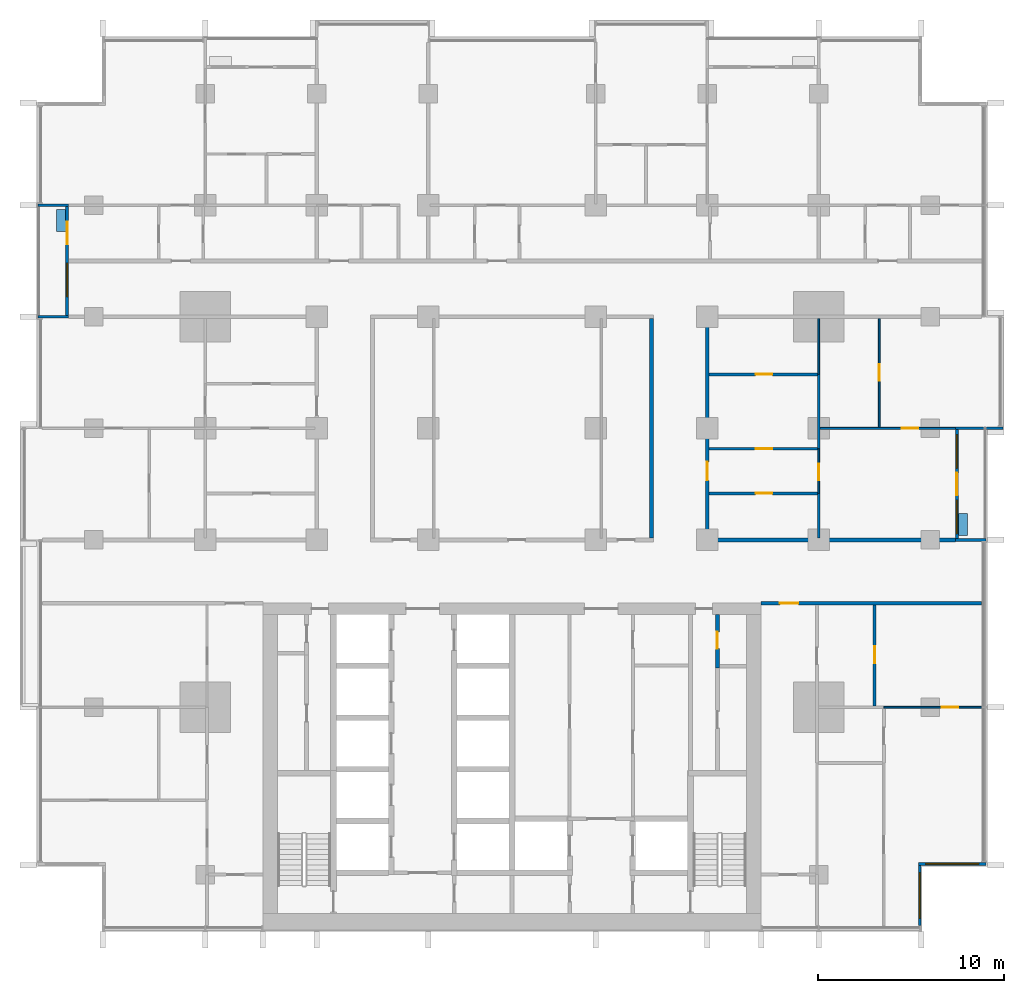
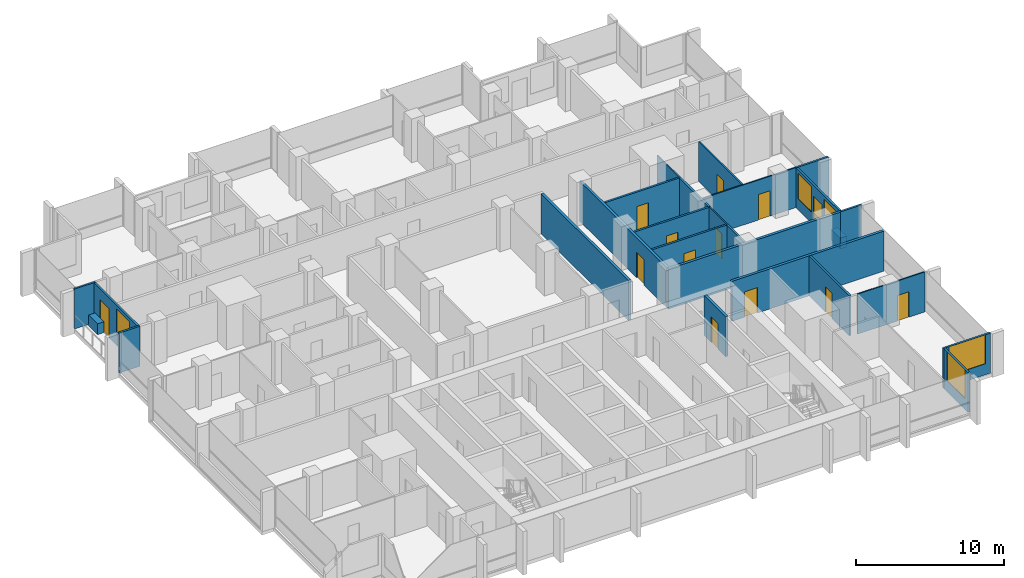
# One storey, part 10 of 18: 26 walls, 13 doors, 5 windows, 18 openings.
"""IFC4 building model written with IfcOpenShell, lengths in metres."""

from ifc_helpers import new_model, si_unit, direction, frame, frame_2d, origin, place, context, subcontext, project, spatial, rectangle, extrude, material, layer, layer_set, type_object, element, fill, save


model = new_model("IFC4")

# Units and contexts
model_context = context("Model", 3, precision=1e-05, world=origin(), true_north=direction((0.0, 1.0)))
body_context = subcontext(model_context, "Body", "Model", "MODEL_VIEW")
ifc_project = project(units=[si_unit("LENGTHUNIT", "METRE"), si_unit("AREAUNIT", "SQUARE_METRE"), si_unit("VOLUMEUNIT", "CUBIC_METRE"), si_unit("PLANEANGLEUNIT", "RADIAN"), si_unit("MASSUNIT", "GRAM", prefix="KILO")], contexts=[model_context])

# Site, building, storey
site_placement = place(None, origin())
site = spatial("IfcSite", under=ifc_project, at=site_placement, CompositionType="ELEMENT")
building_placement = place(site_placement, origin())
building = spatial("IfcBuilding", under=site, at=building_placement, Name="Finial Court Residences", CompositionType="ELEMENT")
storey_placement = place(building_placement, frame((0.0, 0.0, 84.699951171875)))
storey = spatial("IfcBuildingStorey", under=building, at=storey_placement, Name="L20", CompositionType="ELEMENT", Elevation=84.699951171875)

# Wall, opening, door
ifc_material_1 = material(Name="Gypsum board")
ifc_layer_1 = layer(ifc_material_1, 0.02490234375)
ifc_material_2 = material(Name="Acoustic mineral wool in double frame")
ifc_layer_2 = layer(ifc_material_2, 0.14990234375)
ifc_layer_3 = layer(ifc_material_1, 0.02490234375)
ifc_layer_set_1 = layer_set([ifc_layer_1, ifc_layer_2, ifc_layer_3], Name="Corridor wall 200, 1 hour")
wall_type_1 = type_object("IfcWallType", Name="Corridor wall 200, 1 hour", PredefinedType="PARTITIONING", material=ifc_layer_set_1)
wall_1_placement = place(storey_placement, frame((13.39990234375, -7.89990234375, 0.0), z_axis=(0.0, 0.0, 1.0), x_axis=(1.0, 0.0, 0.0)))
wall_1 = element("IfcWall", 1, at=wall_1_placement, inside=storey, type_object=wall_type_1, Name="Partition L20-010", PredefinedType="PARTITIONING", context=body_context, shape_type="SweptSolid", body=[
    extrude(rectangle(XDim=11.85009765625, YDim=0.199951171875, at=frame_2d((5.925048828125, 0.0))), origin(), (0.0, 0.0, 1.0), 3.300048828125),
])
opening_1_placement = place(wall_1_placement, frame((1.0, 0.0, 0.0)))
opening_1 = element("IfcOpeningElement", 2, at=opening_1_placement, cuts=wall_1, Name="Opening L20-D006", PredefinedType="OPENING", context=body_context, shape_type="SweptSolid", body=[
    extrude(rectangle(XDim=1.0, YDim=2.10009765625, at=frame_2d((0.5, 1.050048828125))), frame((0.0, 0.10986328125, 0.0), z_axis=(0.0, -1.0, 0.0), x_axis=(1.0, 0.0, 0.0)), (0.0, 0.0, 1.0), 0.219970703125),
])
ifc_material_3 = material(Name="Timber door leaf in hollow metal frame", Category="wood")
door_type_1 = type_object("IfcDoorType", Name="Fire door set 1000 x 2100, 30 minutes", OperationType="SINGLE_SWING_LEFT", PredefinedType="DOOR", material=ifc_material_3)
door_1_placement = place(opening_1_placement, origin())
door_1 = element("IfcDoor", 3, at=door_1_placement, inside=storey, type_object=door_type_1, Name="Door L20-D006", OperationType="SINGLE_SWING_LEFT", OverallHeight=2.10009765625, OverallWidth=1.0, PredefinedType="DOOR", context=body_context, shape_type="SweptSolid", body=[
    extrude(rectangle(XDim=1.0, YDim=2.10009765625, at=frame_2d((0.5, 1.050048828125))), frame((0.0, 0.02490234375, 0.0), z_axis=(0.0, -1.0, 0.0), x_axis=(1.0, 0.0, 0.0)), (0.0, 0.0, 1.0), 0.050048828125),
])
fill(opening_1, door_1)

# Walls
wall_2_placement = place(storey_placement, frame((10.39990234375, -4.5, 0.0), z_axis=(0.0, 0.0, 1.0), x_axis=(1.0, 0.0, 0.0)))
element("IfcWall", 4, at=wall_2_placement, inside=storey, type_object=wall_type_1, Name="Partition L20-013", PredefinedType="PARTITIONING", context=body_context, shape_type="SweptSolid", body=[
    extrude(rectangle(XDim=13.4501953125, YDim=0.199951171875, at=frame_2d((6.72509765625, 0.0))), origin(), (0.0, 0.0, 1.0), 3.300048828125),
])
wall_3_placement = place(storey_placement, frame((7.5, -4.39990234375, 0.0), z_axis=(0.0, 0.0, 1.0), x_axis=(0.0, 1.0, 0.0)))
element("IfcWall", 5, at=wall_3_placement, inside=storey, type_object=wall_type_1, Name="Partition L20-068", PredefinedType="PARTITIONING", context=body_context, shape_type="SweptSolid", body=[
    extrude(rectangle(XDim=11.7998046875, YDim=0.199951171875, at=frame_2d((5.89990234375, 0.0))), origin(), (0.0, 0.0, 1.0), 3.300048828125),
])

# Wall, opening, door
wall_4_placement = place(storey_placement, frame((10.5, -4.39990234375, 0.0), z_axis=(0.0, 0.0, 1.0), x_axis=(0.0, 1.0, 0.0)))
wall_4 = element("IfcWall", 6, at=wall_4_placement, inside=storey, type_object=wall_type_1, Name="Partition L20-069", PredefinedType="PARTITIONING", context=body_context, shape_type="SweptSolid", body=[
    extrude(rectangle(XDim=11.7998046875, YDim=0.199951171875, at=frame_2d((5.89990234375, 0.0))), origin(), (0.0, 0.0, 1.0), 3.300048828125),
])
opening_2_placement = place(wall_4_placement, frame((3.10009765625, 0.0, 0.0)))
opening_2 = element("IfcOpeningElement", 7, at=opening_2_placement, cuts=wall_4, Name="Opening L20-D044", PredefinedType="OPENING", context=body_context, shape_type="SweptSolid", body=[
    extrude(rectangle(XDim=1.0, YDim=2.10009765625, at=frame_2d((0.5, 1.050048828125))), frame((0.0, 0.10986328125, 0.0), z_axis=(0.0, -1.0, 0.0), x_axis=(1.0, 0.0, 0.0)), (0.0, 0.0, 1.0), 0.219970703125),
])
door_2_placement = place(opening_2_placement, origin())
door_2 = element("IfcDoor", 8, at=door_2_placement, inside=storey, type_object=door_type_1, Name="Door L20-D044", OperationType="SINGLE_SWING_LEFT", OverallHeight=2.10009765625, OverallWidth=1.0, PredefinedType="DOOR", context=body_context, shape_type="SweptSolid", body=[
    extrude(rectangle(XDim=1.0, YDim=2.10009765625, at=frame_2d((0.5, 1.050048828125))), frame((0.0, 0.02490234375, 0.0), z_axis=(0.0, -1.0, 0.0), x_axis=(1.0, 0.0, 0.0)), (0.0, 0.0, 1.0), 0.050048828125),
])
fill(opening_2, door_2)

ifc_layer_4 = layer(ifc_material_1, 0.012451171875)
ifc_material_4 = material(Name="Mineral wool in light-gauge frame")
ifc_layer_5 = layer(ifc_material_4, 0.074951171875)
ifc_layer_6 = layer(ifc_material_1, 0.012451171875)
ifc_layer_set_2 = layer_set([ifc_layer_4, ifc_layer_5, ifc_layer_6], Name="Gypsum board partition 100")
wall_type_2 = type_object("IfcWallType", Name="Gypsum board partition 100", PredefinedType="PARTITIONING", material=ifc_layer_set_2)
wall_5_placement = place(storey_placement, frame((20.0, -13.5, 0.0), z_axis=(0.0, 0.0, 1.0), x_axis=(1.0, 0.0, 0.0)))
wall_5 = element("IfcWall", 9, at=wall_5_placement, inside=storey, type_object=wall_type_2, Name="Partition L20-006", PredefinedType="PARTITIONING", context=body_context, shape_type="SweptSolid", body=[
    extrude(rectangle(XDim=5.25, YDim=0.10009765625, at=frame_2d((2.625, 0.0))), origin(), (0.0, 0.0, 1.0), 3.300048828125),
])
opening_3_placement = place(wall_5_placement, frame((3.10009765625, 0.0, 0.0)))
opening_3 = element("IfcOpeningElement", 10, at=opening_3_placement, cuts=wall_5, Name="Opening L20-D004", PredefinedType="OPENING", context=body_context, shape_type="SweptSolid", body=[
    extrude(rectangle(XDim=0.89990234375, YDim=2.10009765625, at=frame_2d((0.449951171875, 1.050048828125))), frame((0.0, 0.06005859375, 0.0), z_axis=(0.0, -1.0, 0.0), x_axis=(1.0, 0.0, 0.0)), (0.0, 0.0, 1.0), 0.1201171875),
])
ifc_material_5 = material(Name="Timber door leaf in timber frame", Category="wood")
door_type_2 = type_object("IfcDoorType", Name="Door set 900 x 2100", OperationType="SINGLE_SWING_LEFT", PredefinedType="DOOR", material=ifc_material_5)
door_3_placement = place(opening_3_placement, origin())
door_3 = element("IfcDoor", 11, at=door_3_placement, inside=storey, type_object=door_type_2, Name="Door L20-D004", OperationType="SINGLE_SWING_RIGHT", OverallHeight=2.10009765625, OverallWidth=0.89990234375, PredefinedType="DOOR", context=body_context, shape_type="SweptSolid", body=[
    extrude(rectangle(XDim=0.89990234375, YDim=2.10009765625, at=frame_2d((0.449951171875, 1.050048828125))), frame((0.0, 0.02490234375, 0.0), z_axis=(0.0, -1.0, 0.0), x_axis=(1.0, 0.0, 0.0)), (0.0, 0.0, 1.0), 0.050048828125),
])
fill(opening_3, door_3)

wall_6_placement = place(storey_placement, frame((16.574951171875, 1.5, 0.0), z_axis=(0.0, 0.0, 1.0), x_axis=(1.0, 0.0, 0.0)))
wall_6 = element("IfcWall", 12, at=wall_6_placement, inside=storey, type_object=wall_type_2, Name="Partition L20-018", PredefinedType="PARTITIONING", context=body_context, shape_type="SweptSolid", body=[
    extrude(rectangle(XDim=7.275146484375, YDim=0.10009765625, at=frame_2d((3.6376953125, 0.0))), origin(), (0.0, 0.0, 1.0), 3.300048828125),
])
opening_4_placement = place(wall_6_placement, frame((4.375, 0.0, 0.0)))
opening_4 = element("IfcOpeningElement", 13, at=opening_4_placement, cuts=wall_6, Name="Opening L20-D014", PredefinedType="OPENING", context=body_context, shape_type="SweptSolid", body=[
    extrude(rectangle(XDim=0.89990234375, YDim=2.10009765625, at=frame_2d((0.449951171875, 1.050048828125))), frame((0.0, 0.06005859375, 0.0), z_axis=(0.0, -1.0, 0.0), x_axis=(1.0, 0.0, 0.0)), (0.0, 0.0, 1.0), 0.1201171875),
])
door_4_placement = place(opening_4_placement, origin())
door_4 = element("IfcDoor", 14, at=door_4_placement, inside=storey, type_object=door_type_2, Name="Door L20-D014", OperationType="SINGLE_SWING_LEFT", OverallHeight=2.10009765625, OverallWidth=0.89990234375, PredefinedType="DOOR", context=body_context, shape_type="SweptSolid", body=[
    extrude(rectangle(XDim=0.89990234375, YDim=2.10009765625, at=frame_2d((0.449951171875, 1.050048828125))), frame((0.0, 0.02490234375, 0.0), z_axis=(0.0, -1.0, 0.0), x_axis=(1.0, 0.0, 0.0)), (0.0, 0.0, 1.0), 0.050048828125),
])
fill(opening_4, door_4)

wall_7_placement = place(storey_placement, frame((16.5, -2.0, 0.0), z_axis=(0.0, 0.0, 1.0), x_axis=(0.0, 1.0, 0.0)))
wall_7 = element("IfcWall", 15, at=wall_7_placement, inside=storey, type_object=wall_type_2, Name="Partition L20-075", PredefinedType="PARTITIONING", context=body_context, shape_type="SweptSolid", body=[
    extrude(rectangle(XDim=2.39990234375, YDim=0.10009765625, at=frame_2d((1.199951171875, 0.0))), origin(), (0.0, 0.0, 1.0), 3.300048828125),
])
opening_5_placement = place(wall_7_placement, frame((0.699951171875, 0.0, 0.0)))
opening_5 = element("IfcOpeningElement", 16, at=opening_5_placement, cuts=wall_7, Name="Opening L20-D048", PredefinedType="OPENING", context=body_context, shape_type="SweptSolid", body=[
    extrude(rectangle(XDim=0.89990234375, YDim=2.10009765625, at=frame_2d((0.449951171875, 1.050048828125))), frame((0.0, 0.06005859375, 0.0), z_axis=(0.0, -1.0, 0.0), x_axis=(1.0, 0.0, 0.0)), (0.0, 0.0, 1.0), 0.1201171875),
])
door_5_placement = place(opening_5_placement, origin())
door_5 = element("IfcDoor", 17, at=door_5_placement, inside=storey, type_object=door_type_2, Name="Door L20-D048", OperationType="SINGLE_SWING_LEFT", OverallHeight=2.10009765625, OverallWidth=0.89990234375, PredefinedType="DOOR", context=body_context, shape_type="SweptSolid", body=[
    extrude(rectangle(XDim=0.89990234375, YDim=2.10009765625, at=frame_2d((0.449951171875, 1.050048828125))), frame((0.0, 0.02490234375, 0.0), z_axis=(0.0, -1.0, 0.0), x_axis=(1.0, 0.0, 0.0)), (0.0, 0.0, 1.0), 0.050048828125),
])
fill(opening_5, door_5)

# Wall
wall_8_placement = place(storey_placement, frame((16.5, 4.39990234375, 0.0), z_axis=(0.0, 0.0, 1.0), x_axis=(0.0, 1.0, 0.0)))
element("IfcWall", 18, at=wall_8_placement, inside=storey, type_object=wall_type_2, Name="Partition L20-076", PredefinedType="PARTITIONING", context=body_context, shape_type="SweptSolid", body=[
    extrude(rectangle(XDim=3.0, YDim=0.10009765625, at=frame_2d((1.5, 0.0))), origin(), (0.0, 0.0, 1.0), 3.300048828125),
])

# Wall, opening, door
wall_9_placement = place(storey_placement, frame((19.75, 1.550048828125, 0.0), z_axis=(0.0, 0.0, 1.0), x_axis=(0.0, 1.0, 0.0)))
wall_9 = element("IfcWall", 19, at=wall_9_placement, inside=storey, type_object=wall_type_2, Name="Partition L20-083", PredefinedType="PARTITIONING", context=body_context, shape_type="SweptSolid", body=[
    extrude(rectangle(XDim=5.849853515625, YDim=0.10009765625, at=frame_2d((2.9248046875, 0.0))), origin(), (0.0, 0.0, 1.0), 3.300048828125),
])
opening_6_placement = place(wall_9_placement, frame((2.5, 0.0, 0.0)))
opening_6 = element("IfcOpeningElement", 20, at=opening_6_placement, cuts=wall_9, Name="Opening L20-D051", PredefinedType="OPENING", context=body_context, shape_type="SweptSolid", body=[
    extrude(rectangle(XDim=0.89990234375, YDim=2.10009765625, at=frame_2d((0.449951171875, 1.050048828125))), frame((0.0, 0.06005859375, 0.0), z_axis=(0.0, -1.0, 0.0), x_axis=(1.0, 0.0, 0.0)), (0.0, 0.0, 1.0), 0.1201171875),
])
door_6_placement = place(opening_6_placement, origin())
door_6 = element("IfcDoor", 21, at=door_6_placement, inside=storey, type_object=door_type_2, Name="Door L20-D051", OperationType="SINGLE_SWING_LEFT", OverallHeight=2.10009765625, OverallWidth=0.89990234375, PredefinedType="DOOR", context=body_context, shape_type="SweptSolid", body=[
    extrude(rectangle(XDim=0.89990234375, YDim=2.10009765625, at=frame_2d((0.449951171875, 1.050048828125))), frame((0.0, 0.02490234375, 0.0), z_axis=(0.0, -1.0, 0.0), x_axis=(1.0, 0.0, 0.0)), (0.0, 0.0, 1.0), 0.050048828125),
])
fill(opening_6, door_6)

ifc_material_6 = material(Name="Moisture-resistant gypsum board")
ifc_layer_7 = layer(ifc_material_6, 0.012451171875)
ifc_layer_8 = layer(ifc_material_4, 0.125)
ifc_layer_9 = layer(ifc_material_6, 0.012451171875)
ifc_layer_set_3 = layer_set([ifc_layer_7, ifc_layer_8, ifc_layer_9], Name="Gypsum board wet-area partition 150")
wall_type_3 = type_object("IfcWallType", Name="Gypsum board wet-area partition 150", PredefinedType="PARTITIONING", material=ifc_layer_set_3)
wall_10_placement = place(storey_placement, frame((10.60009765625, -2.0, 0.0), z_axis=(0.0, 0.0, 1.0), x_axis=(1.0, 0.0, 0.0)))
wall_10 = element("IfcWall", 22, at=wall_10_placement, inside=storey, type_object=wall_type_3, Name="Partition L20-015", PredefinedType="PARTITIONING", context=body_context, shape_type="SweptSolid", body=[
    extrude(rectangle(XDim=5.824951171875, YDim=0.14990234375, at=frame_2d((2.91259765625, 0.0))), origin(), (0.0, 0.0, 1.0), 3.300048828125),
])
opening_7_placement = place(wall_10_placement, frame((2.5, 0.0, 0.0)))
opening_7 = element("IfcOpeningElement", 23, at=opening_7_placement, cuts=wall_10, Name="Opening L20-D011", PredefinedType="OPENING", context=body_context, shape_type="SweptSolid", body=[
    extrude(rectangle(XDim=0.89990234375, YDim=2.10009765625, at=frame_2d((0.449951171875, 1.050048828125))), frame((0.0, 0.0849609375, 0.0), z_axis=(0.0, -1.0, 0.0), x_axis=(1.0, 0.0, 0.0)), (0.0, 0.0, 1.0), 0.169921875),
])
door_7_placement = place(opening_7_placement, origin())
door_7 = element("IfcDoor", 24, at=door_7_placement, inside=storey, type_object=door_type_2, Name="Door L20-D011", OperationType="SINGLE_SWING_RIGHT", OverallHeight=2.10009765625, OverallWidth=0.89990234375, PredefinedType="DOOR", context=body_context, shape_type="SweptSolid", body=[
    extrude(rectangle(XDim=0.89990234375, YDim=2.10009765625, at=frame_2d((0.449951171875, 1.050048828125))), frame((0.0, 0.02490234375, 0.0), z_axis=(0.0, -1.0, 0.0), x_axis=(1.0, 0.0, 0.0)), (0.0, 0.0, 1.0), 0.050048828125),
])
fill(opening_7, door_7)

wall_11_placement = place(storey_placement, frame((10.60009765625, 0.39990234375, 0.0), z_axis=(0.0, 0.0, 1.0), x_axis=(1.0, 0.0, 0.0)))
wall_11 = element("IfcWall", 25, at=wall_11_placement, inside=storey, type_object=wall_type_3, Name="Partition L20-016", PredefinedType="PARTITIONING", context=body_context, shape_type="SweptSolid", body=[
    extrude(rectangle(XDim=5.824951171875, YDim=0.14990234375, at=frame_2d((2.91259765625, 0.0))), origin(), (0.0, 0.0, 1.0), 3.300048828125),
])
opening_8_placement = place(wall_11_placement, frame((2.5, 0.0, 0.0)))
opening_8 = element("IfcOpeningElement", 26, at=opening_8_placement, cuts=wall_11, Name="Opening L20-D012", PredefinedType="OPENING", context=body_context, shape_type="SweptSolid", body=[
    extrude(rectangle(XDim=0.89990234375, YDim=2.10009765625, at=frame_2d((0.449951171875, 1.050048828125))), frame((0.0, 0.0849609375, 0.0), z_axis=(0.0, -1.0, 0.0), x_axis=(1.0, 0.0, 0.0)), (0.0, 0.0, 1.0), 0.169921875),
])
door_8_placement = place(opening_8_placement, origin())
door_8 = element("IfcDoor", 27, at=door_8_placement, inside=storey, type_object=door_type_2, Name="Door L20-D012", OperationType="SINGLE_SWING_LEFT", OverallHeight=2.10009765625, OverallWidth=0.89990234375, PredefinedType="DOOR", context=body_context, shape_type="SweptSolid", body=[
    extrude(rectangle(XDim=0.89990234375, YDim=2.10009765625, at=frame_2d((0.449951171875, 1.050048828125))), frame((0.0, 0.02490234375, 0.0), z_axis=(0.0, -1.0, 0.0), x_axis=(1.0, 0.0, 0.0)), (0.0, 0.0, 1.0), 0.050048828125),
])
fill(opening_8, door_8)

wall_12_placement = place(storey_placement, frame((10.60009765625, 4.39990234375, 0.0), z_axis=(0.0, 0.0, 1.0), x_axis=(1.0, 0.0, 0.0)))
wall_12 = element("IfcWall", 28, at=wall_12_placement, inside=storey, type_object=wall_type_3, Name="Partition L20-021", PredefinedType="PARTITIONING", context=body_context, shape_type="SweptSolid", body=[
    extrude(rectangle(XDim=5.824951171875, YDim=0.14990234375, at=frame_2d((2.91259765625, 0.0))), origin(), (0.0, 0.0, 1.0), 3.300048828125),
])
opening_9_placement = place(wall_12_placement, frame((2.5, 0.0, 0.0)))
opening_9 = element("IfcOpeningElement", 29, at=opening_9_placement, cuts=wall_12, Name="Opening L20-D017", PredefinedType="OPENING", context=body_context, shape_type="SweptSolid", body=[
    extrude(rectangle(XDim=0.89990234375, YDim=2.10009765625, at=frame_2d((0.449951171875, 1.050048828125))), frame((0.0, 0.0849609375, 0.0), z_axis=(0.0, -1.0, 0.0), x_axis=(1.0, 0.0, 0.0)), (0.0, 0.0, 1.0), 0.169921875),
])
door_9_placement = place(opening_9_placement, origin())
door_9 = element("IfcDoor", 30, at=door_9_placement, inside=storey, type_object=door_type_2, Name="Door L20-D017", OperationType="SINGLE_SWING_LEFT", OverallHeight=2.10009765625, OverallWidth=0.89990234375, PredefinedType="DOOR", context=body_context, shape_type="SweptSolid", body=[
    extrude(rectangle(XDim=0.89990234375, YDim=2.10009765625, at=frame_2d((0.449951171875, 1.050048828125))), frame((0.0, 0.02490234375, 0.0), z_axis=(0.0, -1.0, 0.0), x_axis=(1.0, 0.0, 0.0)), (0.0, 0.0, 1.0), 0.050048828125),
])
fill(opening_9, door_9)

# Walls
wall_13_placement = place(storey_placement, frame((16.5, -4.39990234375, 0.0), z_axis=(0.0, 0.0, 1.0), x_axis=(0.0, 1.0, 0.0)))
element("IfcWall", 31, at=wall_13_placement, inside=storey, type_object=wall_type_3, Name="Partition L20-079", PredefinedType="PARTITIONING", context=body_context, shape_type="SweptSolid", body=[
    extrude(rectangle(XDim=2.39990234375, YDim=0.14990234375, at=frame_2d((1.199951171875, 0.0))), origin(), (0.0, 0.0, 1.0), 3.300048828125),
])
wall_14_placement = place(storey_placement, frame((16.5, 0.39990234375, 0.0), z_axis=(0.0, 0.0, 1.0), x_axis=(0.0, 1.0, 0.0)))
element("IfcWall", 32, at=wall_14_placement, inside=storey, type_object=wall_type_3, Name="Partition L20-080", PredefinedType="PARTITIONING", context=body_context, shape_type="SweptSolid", body=[
    extrude(rectangle(XDim=4.0, YDim=0.14990234375, at=frame_2d((2.0, 0.0))), origin(), (0.0, 0.0, 1.0), 3.300048828125),
])

# Wall, opening, door
wall_15_placement = place(storey_placement, frame((19.5, -13.425048828125, 0.0), z_axis=(0.0, 0.0, 1.0), x_axis=(0.0, 1.0, 0.0)))
wall_15 = element("IfcWall", 33, at=wall_15_placement, inside=storey, type_object=wall_type_3, Name="Partition L20-082", PredefinedType="PARTITIONING", context=body_context, shape_type="SweptSolid", body=[
    extrude(rectangle(XDim=5.425048828125, YDim=0.14990234375, at=frame_2d((2.71240234375, 0.0))), origin(), (0.0, 0.0, 1.0), 3.300048828125),
])
opening_10_placement = place(wall_15_placement, frame((2.300048828125, 0.0, 0.0)))
opening_10 = element("IfcOpeningElement", 34, at=opening_10_placement, cuts=wall_15, Name="Opening L20-D050", PredefinedType="OPENING", context=body_context, shape_type="SweptSolid", body=[
    extrude(rectangle(XDim=0.89990234375, YDim=2.10009765625, at=frame_2d((0.449951171875, 1.050048828125))), frame((0.0, 0.0849609375, 0.0), z_axis=(0.0, -1.0, 0.0), x_axis=(1.0, 0.0, 0.0)), (0.0, 0.0, 1.0), 0.169921875),
])
door_10_placement = place(opening_10_placement, origin())
door_10 = element("IfcDoor", 35, at=door_10_placement, inside=storey, type_object=door_type_2, Name="Door L20-D050", OperationType="SINGLE_SWING_LEFT", OverallHeight=2.10009765625, OverallWidth=0.89990234375, PredefinedType="DOOR", context=body_context, shape_type="SweptSolid", body=[
    extrude(rectangle(XDim=0.89990234375, YDim=2.10009765625, at=frame_2d((0.449951171875, 1.050048828125))), frame((0.0, 0.02490234375, 0.0), z_axis=(0.0, -1.0, 0.0), x_axis=(1.0, 0.0, 0.0)), (0.0, 0.0, 1.0), 0.050048828125),
])
fill(opening_10, door_10)

# Wall, opening, window
ifc_material_7 = material(Name="Natural limestone", Category="masonry")
ifc_layer_10 = layer(ifc_material_7, 0.14990234375)
ifc_layer_set_4 = layer_set([ifc_layer_10], Name="Limestone clad wall 150")
wall_type_4 = type_object("IfcWallType", Name="Limestone clad wall 150", PredefinedType="SOLIDWALL", material=ifc_layer_set_4)
wall_16_placement = place(storey_placement, frame((21.925048828125, -22.0, 0.0), z_axis=(0.0, 0.0, 1.0), x_axis=(0.0, -1.0, 0.0)))
wall_16 = element("IfcWall", 36, at=wall_16_placement, inside=storey, type_object=wall_type_4, Name="E-L20-NWE17", PredefinedType="SOLIDWALL", context=body_context, shape_type="SweptSolid", body=[
    extrude(rectangle(XDim=3.25, YDim=0.14990234375, at=frame_2d((1.625, 0.0))), origin(), (0.0, 0.0, 1.0), 3.300048828125),
])
opening_11_placement = place(wall_16_placement, frame((0.39990234375, 0.0, 0.89990234375)))
opening_11 = element("IfcOpeningElement", 37, at=opening_11_placement, cuts=wall_16, Name="Opening WE20-03", PredefinedType="OPENING", context=body_context, shape_type="SweptSolid", body=[
    extrude(rectangle(XDim=2.449951171875, YDim=2.39990234375, at=frame_2d((1.22509765625, 1.199951171875))), frame((0.0, 0.0849609375, 0.0), z_axis=(0.0, -1.0, 0.0), x_axis=(1.0, 0.0, 0.0)), (0.0, 0.0, 1.0), 0.169921875),
])
ifc_material_8 = material(Name="Clear low-e glass", Category="glass")
window_type_1 = type_object("IfcWindowType", Name="Corner window 2450 x 2400", PartitioningType="SINGLE_PANEL", PredefinedType="WINDOW", material=ifc_material_8)
window_1_placement = place(opening_11_placement, origin())
window_1 = element("IfcWindow", 38, at=window_1_placement, inside=storey, type_object=window_type_1, Name="E-L20-NWE17-W1", OverallHeight=2.39990234375, OverallWidth=2.449951171875, PartitioningType="SINGLE_PANEL", PredefinedType="WINDOW", context=body_context, shape_type="SweptSolid", body=[
    extrude(rectangle(XDim=2.449951171875, YDim=2.39990234375, at=frame_2d((1.22509765625, 1.199951171875))), frame((0.0, 0.030029296875, 0.0), z_axis=(0.0, -1.0, 0.0), x_axis=(1.0, 0.0, 0.0)), (0.0, 0.0, 1.0), 0.06005859375),
])
fill(opening_11, window_1)

wall_17_placement = place(storey_placement, frame((25.5, -21.925048828125, 0.0), z_axis=(0.0, 0.0, 1.0), x_axis=(-1.0, 0.0, 0.0)))
wall_17 = element("IfcWall", 39, at=wall_17_placement, inside=storey, type_object=wall_type_4, Name="E-L20-NWS18", PredefinedType="SOLIDWALL", context=body_context, shape_type="SweptSolid", body=[
    extrude(rectangle(XDim=3.64990234375, YDim=0.14990234375, at=frame_2d((1.824951171875, 0.0))), origin(), (0.0, 0.0, 1.0), 3.300048828125),
])
opening_12_placement = place(wall_17_placement, frame((0.39990234375, 0.0, 0.89990234375)))
opening_12 = element("IfcOpeningElement", 40, at=opening_12_placement, cuts=wall_17, Name="Opening WE20-04", PredefinedType="OPENING", context=body_context, shape_type="SweptSolid", body=[
    extrude(rectangle(XDim=2.85009765625, YDim=2.39990234375, at=frame_2d((1.425048828125, 1.199951171875))), frame((0.0, 0.0849609375, 0.0), z_axis=(0.0, -1.0, 0.0), x_axis=(1.0, 0.0, 0.0)), (0.0, 0.0, 1.0), 0.169921875),
])
window_type_2 = type_object("IfcWindowType", Name="Corner window 2850 x 2400", PartitioningType="SINGLE_PANEL", PredefinedType="WINDOW", material=ifc_material_8)
window_2_placement = place(opening_12_placement, origin())
window_2 = element("IfcWindow", 41, at=window_2_placement, inside=storey, type_object=window_type_2, Name="E-L20-NWS18-W1", OverallHeight=2.39990234375, OverallWidth=2.85009765625, PartitioningType="SINGLE_PANEL", PredefinedType="WINDOW", context=body_context, shape_type="SweptSolid", body=[
    extrude(rectangle(XDim=2.85009765625, YDim=2.39990234375, at=frame_2d((1.425048828125, 1.199951171875))), frame((0.0, 0.030029296875, 0.0), z_axis=(0.0, -1.0, 0.0), x_axis=(1.0, 0.0, 0.0)), (0.0, 0.0, 1.0), 0.06005859375),
])
fill(opening_12, window_2)

# Walls
wall_18_placement = place(storey_placement, frame((23.85009765625, -4.5, 0.0), z_axis=(0.0, 0.0, 1.0), x_axis=(1.0, 0.0, 0.0)))
element("IfcWall", 42, at=wall_18_placement, inside=storey, type_object=wall_type_4, Name="E-L20-BALE3-P1", PredefinedType="SOLIDWALL", context=body_context, shape_type="SweptSolid", body=[
    extrude(rectangle(XDim=1.64990234375, YDim=0.14990234375, at=frame_2d((0.824951171875, 0.0))), origin(), (0.0, 0.0, 1.0), 3.300048828125),
])
wall_19_placement = place(storey_placement, frame((23.85009765625, 1.5, 0.0), z_axis=(0.0, 0.0, 1.0), x_axis=(1.0, 0.0, 0.0)))
element("IfcWall", 43, at=wall_19_placement, inside=storey, type_object=wall_type_4, Name="E-L20-BALE3-P2", PredefinedType="SOLIDWALL", context=body_context, shape_type="SweptSolid", body=[
    extrude(rectangle(XDim=2.5498046875, YDim=0.14990234375, at=frame_2d((1.27490234375, 0.0))), origin(), (0.0, 0.0, 1.0), 3.300048828125),
])

# Wall, openings, door, windows
wall_20_placement = place(storey_placement, frame((23.925048828125, 1.425048828125, 0.0), z_axis=(0.0, 0.0, 1.0), x_axis=(0.0, -1.0, 0.0)))
wall_20 = element("IfcWall", 44, at=wall_20_placement, inside=storey, type_object=wall_type_4, Name="E-L20-L20-BALE3-W", PredefinedType="SOLIDWALL", context=body_context, shape_type="SweptSolid", body=[
    extrude(rectangle(XDim=5.85009765625, YDim=0.14990234375, at=frame_2d((2.925048828125, 0.0))), origin(), (0.0, 0.0, 1.0), 3.300048828125),
])
opening_13_placement = place(wall_20_placement, frame((2.324951171875, 0.0, 0.0)))
opening_13 = element("IfcOpeningElement", 45, at=opening_13_placement, cuts=wall_20, Name="Opening DE20-03", PredefinedType="OPENING", context=body_context, shape_type="SweptSolid", body=[
    extrude(rectangle(XDim=1.199951171875, YDim=2.39990234375, at=frame_2d((0.60009765625, 1.199951171875))), frame((0.0, 0.0849609375, 0.0), z_axis=(0.0, -1.0, 0.0), x_axis=(1.0, 0.0, 0.0)), (0.0, 0.0, 1.0), 0.169921875),
])
opening_14_placement = place(wall_20_placement, frame((3.78759765625, 0.0, 0.89990234375)))
opening_14 = element("IfcOpeningElement", 46, at=opening_14_placement, cuts=wall_20, Name="Opening WE20-13", PredefinedType="OPENING", context=body_context, shape_type="SweptSolid", body=[
    extrude(rectangle(XDim=1.800048828125, YDim=2.10009765625, at=frame_2d((0.89990234375, 1.050048828125))), frame((0.0, 0.0849609375, 0.0), z_axis=(0.0, -1.0, 0.0), x_axis=(1.0, 0.0, 0.0)), (0.0, 0.0, 1.0), 0.169921875),
])
opening_15_placement = place(wall_20_placement, frame((0.262451171875, 0.0, 0.89990234375)))
opening_15 = element("IfcOpeningElement", 47, at=opening_15_placement, cuts=wall_20, Name="Opening WE20-14", PredefinedType="OPENING", context=body_context, shape_type="SweptSolid", body=[
    extrude(rectangle(XDim=1.800048828125, YDim=2.10009765625, at=frame_2d((0.89990234375, 1.050048828125))), frame((0.0, 0.0849609375, 0.0), z_axis=(0.0, -1.0, 0.0), x_axis=(1.0, 0.0, 0.0)), (0.0, 0.0, 1.0), 0.169921875),
])
ifc_material_9 = material(Name="Bronze anodised aluminium", Category="aluminium")
door_type_3 = type_object("IfcDoorType", Name="Balcony door 1200 x 2400", OperationType="SINGLE_SWING_LEFT", PredefinedType="DOOR", material=ifc_material_9)
door_11_placement = place(opening_13_placement, origin())
door_11 = element("IfcDoor", 48, at=door_11_placement, inside=storey, type_object=door_type_3, Name="E-L20-L20-BALE3-W-D", OperationType="SINGLE_SWING_RIGHT", OverallHeight=2.39990234375, OverallWidth=1.199951171875, PredefinedType="DOOR", context=body_context, shape_type="SweptSolid", body=[
    extrude(rectangle(XDim=1.199951171875, YDim=2.39990234375, at=frame_2d((0.60009765625, 1.199951171875))), frame((0.0, 0.02490234375, 0.0), z_axis=(0.0, -1.0, 0.0), x_axis=(1.0, 0.0, 0.0)), (0.0, 0.0, 1.0), 0.050048828125),
])
fill(opening_13, door_11)
window_type_3 = type_object("IfcWindowType", Name="Balcony window 1800 x 2100", PartitioningType="SINGLE_PANEL", PredefinedType="WINDOW", material=ifc_material_8)
window_3_placement = place(opening_14_placement, origin())
window_3 = element("IfcWindow", 49, at=window_3_placement, inside=storey, type_object=window_type_3, Name="E-L20-L20-BALE3-W-W1", OverallHeight=2.10009765625, OverallWidth=1.800048828125, PartitioningType="SINGLE_PANEL", PredefinedType="WINDOW", context=body_context, shape_type="SweptSolid", body=[
    extrude(rectangle(XDim=1.800048828125, YDim=2.10009765625, at=frame_2d((0.89990234375, 1.050048828125))), frame((0.0, 0.030029296875, 0.0), z_axis=(0.0, -1.0, 0.0), x_axis=(1.0, 0.0, 0.0)), (0.0, 0.0, 1.0), 0.06005859375),
])
fill(opening_14, window_3)
window_4_placement = place(opening_15_placement, origin())
window_4 = element("IfcWindow", 50, at=window_4_placement, inside=storey, type_object=window_type_3, Name="E-L20-L20-BALE3-W-W2", OverallHeight=2.10009765625, OverallWidth=1.800048828125, PartitioningType="SINGLE_PANEL", PredefinedType="WINDOW", context=body_context, shape_type="SweptSolid", body=[
    extrude(rectangle(XDim=1.800048828125, YDim=2.10009765625, at=frame_2d((0.89990234375, 1.050048828125))), frame((0.0, 0.030029296875, 0.0), z_axis=(0.0, -1.0, 0.0), x_axis=(1.0, 0.0, 0.0)), (0.0, 0.0, 1.0), 0.06005859375),
])
fill(opening_15, window_4)

# Walls
for number, where, z_axis, x_axis, name in (
    (51, (-23.85009765625, 7.5, 0.0), (0.0, 0.0, 1.0), (-1.0, 0.0, 0.0), "E-L20-BALW5-P1"),
    (52, (-23.85009765625, 13.5, 0.0), (0.0, 0.0, 1.0), (-1.0, 0.0, 0.0), "E-L20-BALW5-P2"),
):
    element("IfcWall", number, at=place(storey_placement, frame(where, z_axis=z_axis, x_axis=x_axis)), inside=storey, type_object=wall_type_4, Name=name, PredefinedType="SOLIDWALL", context=body_context, shape_type="SweptSolid", body=[
        extrude(rectangle(XDim=1.64990234375, YDim=0.14990234375, at=frame_2d((0.824951171875, 0.0))), origin(), (0.0, 0.0, 1.0), 3.300048828125),
    ])

# Wall, openings, door, window
wall_21_placement = place(storey_placement, frame((-23.925048828125, 7.574951171875, 0.0), z_axis=(0.0, 0.0, 1.0), x_axis=(0.0, 1.0, 0.0)))
wall_21 = element("IfcWall", 53, at=wall_21_placement, inside=storey, type_object=wall_type_4, Name="E-L20-L20-BALW5-W", PredefinedType="SOLIDWALL", context=body_context, shape_type="SweptSolid", body=[
    extrude(rectangle(XDim=5.85009765625, YDim=0.14990234375, at=frame_2d((2.925048828125, 0.0))), origin(), (0.0, 0.0, 1.0), 3.300048828125),
])
opening_16_placement = place(wall_21_placement, frame((3.824951171875, 0.0, 0.0)))
opening_16 = element("IfcOpeningElement", 54, at=opening_16_placement, cuts=wall_21, Name="Opening DE20-04", PredefinedType="OPENING", context=body_context, shape_type="SweptSolid", body=[
    extrude(rectangle(XDim=1.199951171875, YDim=2.39990234375, at=frame_2d((0.60009765625, 1.199951171875))), frame((0.0, 0.0849609375, 0.0), z_axis=(0.0, -1.0, 0.0), x_axis=(1.0, 0.0, 0.0)), (0.0, 0.0, 1.0), 0.169921875),
])
opening_17_placement = place(wall_21_placement, frame((1.012451171875, 0.0, 0.89990234375)))
opening_17 = element("IfcOpeningElement", 55, at=opening_17_placement, cuts=wall_21, Name="Opening WE20-15", PredefinedType="OPENING", context=body_context, shape_type="SweptSolid", body=[
    extrude(rectangle(XDim=1.800048828125, YDim=2.10009765625, at=frame_2d((0.89990234375, 1.050048828125))), frame((0.0, 0.0849609375, 0.0), z_axis=(0.0, -1.0, 0.0), x_axis=(1.0, 0.0, 0.0)), (0.0, 0.0, 1.0), 0.169921875),
])
door_12_placement = place(opening_16_placement, origin())
door_12 = element("IfcDoor", 56, at=door_12_placement, inside=storey, type_object=door_type_3, Name="E-L20-L20-BALW5-W-D", OperationType="SINGLE_SWING_LEFT", OverallHeight=2.39990234375, OverallWidth=1.199951171875, PredefinedType="DOOR", context=body_context, shape_type="SweptSolid", body=[
    extrude(rectangle(XDim=1.199951171875, YDim=2.39990234375, at=frame_2d((0.60009765625, 1.199951171875))), frame((0.0, 0.02490234375, 0.0), z_axis=(0.0, -1.0, 0.0), x_axis=(1.0, 0.0, 0.0)), (0.0, 0.0, 1.0), 0.050048828125),
])
fill(opening_16, door_12)
window_5_placement = place(opening_17_placement, origin())
window_5 = element("IfcWindow", 57, at=window_5_placement, inside=storey, type_object=window_type_3, Name="E-L20-L20-BALW5-W-W1", OverallHeight=2.10009765625, OverallWidth=1.800048828125, PartitioningType="SINGLE_PANEL", PredefinedType="WINDOW", context=body_context, shape_type="SweptSolid", body=[
    extrude(rectangle(XDim=1.800048828125, YDim=2.10009765625, at=frame_2d((0.89990234375, 1.050048828125))), frame((0.0, 0.030029296875, 0.0), z_axis=(0.0, -1.0, 0.0), x_axis=(1.0, 0.0, 0.0)), (0.0, 0.0, 1.0), 0.06005859375),
])
fill(opening_17, window_5)

# Walls
ifc_material_10 = material(Name="Concrete C40/50", Category="concrete")
ifc_layer_11 = layer(ifc_material_10, 0.10009765625)
ifc_material_11 = material(Name="Planting soil", Category="soil")
ifc_layer_12 = layer(ifc_material_11, 0.300048828125)
ifc_layer_13 = layer(ifc_material_10, 0.10009765625)
ifc_layer_set_5 = layer_set([ifc_layer_11, ifc_layer_12, ifc_layer_13], Name="Planter wall, balcony")
wall_type_5 = type_object("IfcWallType", Name="Planter wall, balcony", PredefinedType="USERDEFINED", material=ifc_layer_set_5)
for number, where, z_axis, x_axis, name in (
    (58, (24.25, -4.27490234375, 0.0), (0.0, 0.0, 1.0), (0.0, 1.0, 0.0), "E-L20-BALE3-PL"),
    (59, (-24.25, 12.074951171875, 0.0), (0.0, 0.0, 1.0), (0.0, 1.0, 0.0), "E-L20-BALW5-PL"),
):
    element("IfcWall", number, at=place(storey_placement, frame(where, z_axis=z_axis, x_axis=x_axis)), inside=storey, type_object=wall_type_5, Name=name, ObjectType="PLANTER", PredefinedType="USERDEFINED", context=body_context, shape_type="SweptSolid", body=[
        extrude(rectangle(XDim=1.199951171875, YDim=0.5, at=frame_2d((0.60009765625, 0.0))), origin(), (0.0, 0.0, 1.0), 0.900146484375),
    ])

# Wall, opening, door
ifc_material_12 = material(Name="Fire-rated gypsum board partition")
ifc_layer_14 = layer(ifc_material_12, 0.199951171875)
ifc_layer_set_6 = layer_set([ifc_layer_14], Name="Riser room wall 200 EI 120")
wall_type_6 = type_object("IfcWallType", Name="Riser room wall 200 EI 120", PredefinedType="PARTITIONING", material=ifc_layer_set_6)
wall_22_placement = place(storey_placement, frame((11.050048828125, -8.5, 0.0), z_axis=(0.0, 0.0, 1.0), x_axis=(0.0, -1.0, 0.0)))
wall_22 = element("IfcWall", 60, at=wall_22_placement, inside=storey, type_object=wall_type_6, Name="Core partition L20-39", PredefinedType="PARTITIONING", context=body_context, shape_type="SweptSolid", body=[
    extrude(rectangle(XDim=2.89990234375, YDim=0.199951171875, at=frame_2d((1.449951171875, 0.0))), origin(), (0.0, 0.0, 1.0), 3.300048828125),
])
opening_18_placement = place(wall_22_placement, frame((0.949951171875, 0.0, 0.0)))
opening_18 = element("IfcOpeningElement", 61, at=opening_18_placement, cuts=wall_22, Name="Opening L20-C08", PredefinedType="OPENING", context=body_context, shape_type="SweptSolid", body=[
    extrude(rectangle(XDim=0.89990234375, YDim=2.10009765625, at=frame_2d((0.449951171875, 1.050048828125))), frame((0.0, 0.10986328125, 0.0), z_axis=(0.0, -1.0, 0.0), x_axis=(1.0, 0.0, 0.0)), (0.0, 0.0, 1.0), 0.219970703125),
])
ifc_material_13 = material(Name="Steel fire door", Category="steel")
door_type_4 = type_object("IfcDoorType", Name="Riser room door 900 x 2100 EI 90", OperationType="NOTDEFINED", PredefinedType="DOOR", material=ifc_material_13)
door_13_placement = place(opening_18_placement, origin())
door_13 = element("IfcDoor", 62, at=door_13_placement, inside=storey, type_object=door_type_4, Name="Riser room door L20-C08", OperationType="SINGLE_SWING_RIGHT", OverallHeight=2.10009765625, OverallWidth=0.89990234375, PredefinedType="DOOR", context=body_context, shape_type="SweptSolid", body=[
    extrude(rectangle(XDim=0.89990234375, YDim=2.10009765625, at=frame_2d((0.449951171875, 1.050048828125))), frame((0.0, 0.02490234375, 0.0), z_axis=(0.0, -1.0, 0.0), x_axis=(1.0, 0.0, 0.0)), (0.0, 0.0, 1.0), 0.050048828125),
])
fill(opening_18, door_13)

save(model, "model.ifc")
